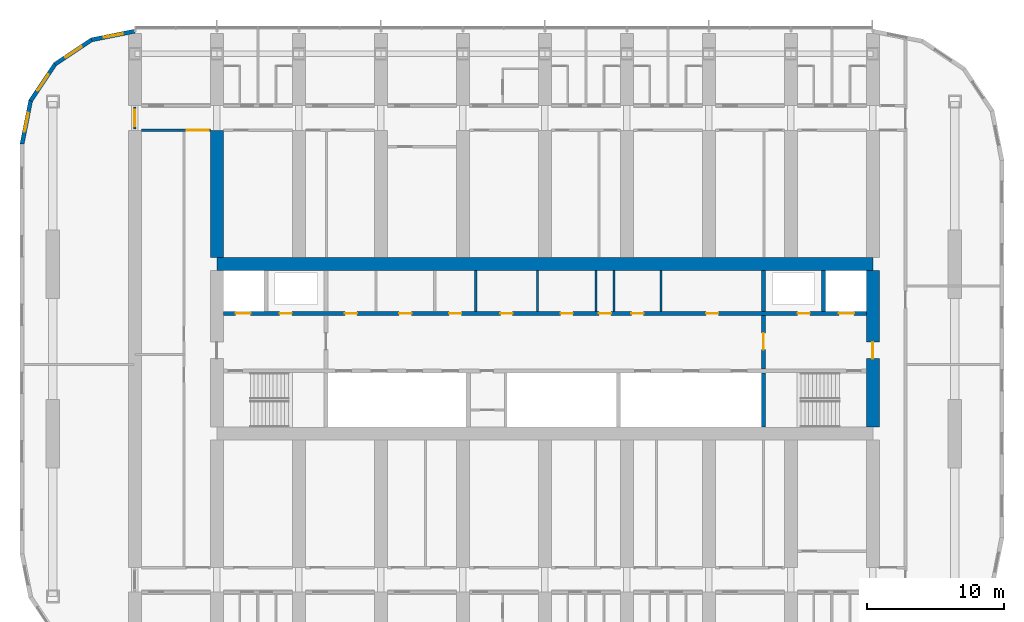
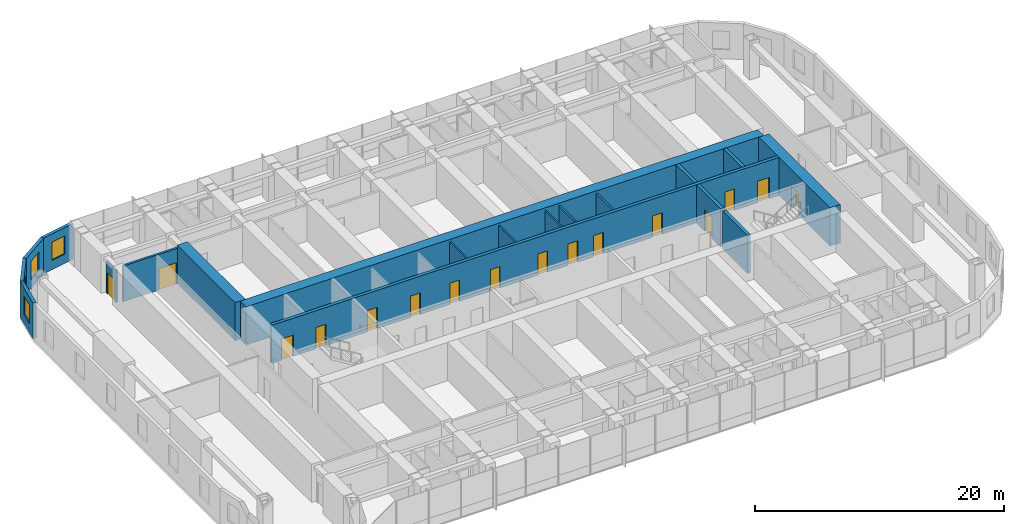
# One storey, part 12 of 21: 19 walls, 16 doors, 4 windows, 20 openings.
"""IFC4 building model written with IfcOpenShell, lengths in metres."""

import ifcopenshell
import ifcopenshell.guid

model = None  # the IFC model being written
_history = None  # IfcOwnerHistory: only IFC2X3 demands one
_inside = {}  # id of a spatial element -> (the spatial element, [elements in it])
_under = {}  # id of a project, library or spatial element -> (it, [spatial elements below it])
_declared = {}  # id of a project -> (the project, [libraries it declares])
_typed = {}  # id of a type object -> (the type object, [elements of that type])
_made_of = {}  # id of a material, layer set ... -> (it, [elements and type objects made of it])


def new_model(schema):
    """Start an empty IFC model of exactly this schema.

    Asked for "IFC4X3", IfcOpenShell would pick the latest addendum, in which some entities
    have other attributes; the version numbers below select the first issue.
    IFC2X3 requires an IfcOwnerHistory on every rooted entity: one is made here for all.
    """
    global model, _history
    if schema == "IFC4X3":
        model = ifcopenshell.file(schema_version=(4, 3, 0, 0))
    else:
        model = ifcopenshell.file(schema=schema)
    _inside.clear()
    _under.clear()
    _declared.clear()
    _typed.clear()
    _made_of.clear()
    _history = None
    if model.schema == "IFC2X3":
        org = make("IfcOrganization", Name="unknown")
        user = make(
            "IfcPersonAndOrganization",
            ThePerson=make("IfcPerson", FamilyName="unknown"),
            TheOrganization=org,
        )
        app = make(
            "IfcApplication",
            ApplicationDeveloper=org,
            Version="unknown",
            ApplicationFullName="unknown",
            ApplicationIdentifier="unknown",
        )
        _history = make(
            "IfcOwnerHistory",
            OwningUser=user,
            OwningApplication=app,
            ChangeAction="ADDED",
            CreationDate=0,
        )
    return model


def make(cls, **values):
    """One entity of the class cls with the attributes given. An attribute that is None is left unset."""
    return model.create_entity(
        cls, **{name: value for name, value in values.items() if value is not None}
    )


def rooted(cls, **values):
    """An entity with a GlobalId (a new one), such as an element, a storey or a relation."""
    return make(cls, GlobalId=ifcopenshell.guid.new(), OwnerHistory=_history, **values)


def si_unit(unit_type, name, prefix=None):
    """IfcSIUnit, for example si_unit("LENGTHUNIT", "METRE", prefix="MILLI")."""
    return make("IfcSIUnit", UnitType=unit_type, Prefix=prefix, Name=name)


def assignment(units):
    """IfcUnitAssignment: the units of a project."""
    return None if units is None else make("IfcUnitAssignment", Units=units)


def point(xyz):
    """IfcCartesianPoint."""
    return None if xyz is None else make("IfcCartesianPoint", Coordinates=xyz)


def direction(xyz):
    """IfcDirection."""
    return None if xyz is None else make("IfcDirection", DirectionRatios=xyz)


def frame(location, z_axis=None, x_axis=None):
    """IfcAxis2Placement3D, a coordinate frame: its origin and axes. An axis left out is left unset."""
    return make(
        "IfcAxis2Placement3D",
        Location=point(location),
        Axis=direction(z_axis),
        RefDirection=direction(x_axis),
    )


def frame_2d(location, x_axis=None):
    """IfcAxis2Placement2D, a coordinate frame in the plane: its origin and x axis."""
    return make(
        "IfcAxis2Placement2D", Location=point(location), RefDirection=direction(x_axis)
    )


def origin():
    """The frame at (0, 0, 0) with its axes left unset."""
    return frame((0.0, 0.0, 0.0))


def place(relative_to, where):
    """IfcLocalPlacement: puts the frame where relative to a parent placement (None: the world)."""
    return make(
        "IfcLocalPlacement", PlacementRelTo=relative_to, RelativePlacement=where
    )


def context(
    kind, dimensions, precision=None, world=None, true_north=None, identifier=None
):
    """IfcGeometricRepresentationContext, for example the 3D "Model" context."""
    return make(
        "IfcGeometricRepresentationContext",
        ContextIdentifier=identifier,
        ContextType=kind,
        CoordinateSpaceDimension=dimensions,
        Precision=precision,
        WorldCoordinateSystem=world,
        TrueNorth=true_north,
    )


def subcontext(parent, identifier, kind, view, scale=None):
    """IfcGeometricRepresentationSubContext, for example "Body" below "Model"."""
    return make(
        "IfcGeometricRepresentationSubContext",
        ContextIdentifier=identifier,
        ContextType=kind,
        ParentContext=parent,
        TargetScale=scale,
        TargetView=view,
    )


def project(units=None, contexts=None):
    """IfcProject with its units and contexts."""
    return rooted(
        "IfcProject",
        Name="project",
        RepresentationContexts=contexts,
        UnitsInContext=assignment(units),
    )


def spatial(cls, under=None, at=None, **own):
    """A site, building, storey or space (cls), placed at a placement, below another one or the project."""
    s = rooted(cls, ObjectPlacement=at, **own)
    if under is not None:
        _under.setdefault(under.id(), (under, []))[1].append(s)
    return s


def polyline(points):
    """IfcPolyline through the points."""
    return make("IfcPolyline", Points=[point(p) for p in points])


def profile(cls, at=None, kind="AREA", **sizes):
    """A parametric profile (cls). Its sizes go by their IFC names, for example OverallWidth=200.0."""
    return make(cls, ProfileType=kind, Position=at, **sizes)


def rectangle(**sizes):
    """IfcRectangleProfileDef."""
    return profile("IfcRectangleProfileDef", **sizes)


def outline(outer, holes=None, kind="AREA"):
    """IfcArbitraryClosedProfileDef: a profile drawn as a closed curve; with holes, ...WithVoids."""
    if holes is None:
        return make("IfcArbitraryClosedProfileDef", ProfileType=kind, OuterCurve=outer)
    return make(
        "IfcArbitraryProfileDefWithVoids",
        ProfileType=kind,
        OuterCurve=outer,
        InnerCurves=holes,
    )


def extrude(swept, where, along, depth):
    """IfcExtrudedAreaSolid: the profile swept, set in the frame where, extruded along a direction by depth."""
    return make(
        "IfcExtrudedAreaSolid",
        SweptArea=swept,
        Position=where,
        ExtrudedDirection=direction(along),
        Depth=depth,
    )


def shape(context_of_items, identifier, shape_type, items):
    """IfcShapeRepresentation: the items that make up one representation, for example the "Body"."""
    return make(
        "IfcShapeRepresentation",
        ContextOfItems=context_of_items,
        RepresentationIdentifier=identifier,
        RepresentationType=shape_type,
        Items=items,
    )


def material(Name=None, Category=None):
    """IfcMaterial."""
    return make("IfcMaterial", Name=Name, Category=Category)


def layer(
    of_material, thickness, ventilated=None, Name=None, Category=None, Priority=None
):
    """IfcMaterialLayer: one layer of a wall or slab, of a material (None: an air gap)."""
    return make(
        "IfcMaterialLayer",
        Material=of_material,
        LayerThickness=thickness,
        IsVentilated=ventilated,
        Name=Name,
        Category=Category,
        Priority=Priority,
    )


def layer_set(layers, Name=None):
    """IfcMaterialLayerSet."""
    return make("IfcMaterialLayerSet", MaterialLayers=layers, LayerSetName=Name)


def made_of(thing, what):
    """Note that an element or type object is made of a material, layer set ...; save() writes the relation."""
    if what is not None:
        _made_of.setdefault(what.id(), (what, []))[1].append(thing)
    return thing


def type_object(cls, material=None, **own):
    """A type object (cls), such as IfcWallType, which elements share."""
    return made_of(rooted(cls, **own), material)


def element(
    cls,
    number,
    at=None,
    inside=None,
    cuts=None,
    type_object=None,
    material=None,
    context=None,
    identifier="Body",
    shape_type=None,
    held_by="IfcProductDefinitionShape",
    body=None,
    shapes=None,
    **own,
):
    """One element of the class cls, such as IfcWall. Its Tag is "e" and its number.

    at: its placement. inside: the storey or other place that contains it. cuts: it is an
    opening in that element (IfcRelVoidsElement). A single representation is given by context,
    identifier, shape_type and body (its items); several are given by shapes. held_by: the class
    of the entity that holds the representations. save() writes the other relations.
    """
    e = rooted(cls, Tag="e%d" % number, ObjectPlacement=at, **own)
    if body is not None:
        shapes = [shape(context, identifier, shape_type, body)]
    if shapes is not None:
        e.Representation = make(held_by, Representations=shapes)
    if inside is not None:
        _inside.setdefault(inside.id(), (inside, []))[1].append(e)
    if cuts is not None:
        rooted(
            "IfcRelVoidsElement", RelatingBuildingElement=cuts, RelatedOpeningElement=e
        )
    if type_object is not None:
        _typed.setdefault(type_object.id(), (type_object, []))[1].append(e)
    return made_of(e, material)


def fill(opening, filler):
    """IfcRelFillsElement: the door or window that sits in an opening."""
    return rooted(
        "IfcRelFillsElement",
        RelatingOpeningElement=opening,
        RelatedBuildingElement=filler,
    )


def aggregate(whole, parts):
    """IfcRelAggregates: a whole, such as a stair, and the parts it consists of."""
    return rooted("IfcRelAggregates", RelatingObject=whole, RelatedObjects=parts)


def save(model, path):
    """Write the relations noted so far, then the file.

    IfcRelAggregates (storeys below a building ...), IfcRelContainedInSpatialStructure (elements
    in a storey), IfcRelDefinesByType, IfcRelAssociatesMaterial and IfcRelDeclares: one each for
    every whole, place, type object, material and project.
    """
    for whole, parts in _under.values():
        aggregate(whole, parts)
    for where, things in _inside.values():
        rooted(
            "IfcRelContainedInSpatialStructure",
            RelatedElements=things,
            RelatingStructure=where,
        )
    for kind, things in _typed.values():
        rooted("IfcRelDefinesByType", RelatedObjects=things, RelatingType=kind)
    for what, things in _made_of.values():
        rooted("IfcRelAssociatesMaterial", RelatedObjects=things, RelatingMaterial=what)
    for by, libraries in _declared.values():
        rooted("IfcRelDeclares", RelatingContext=by, RelatedDefinitions=libraries)
    model.write(path)


model = new_model("IFC4")

# Units and contexts
model_context = context("Model", 3, precision=1e-05, world=origin(), true_north=direction((0.0, 1.0)))
body_context = subcontext(model_context, "Body", "Model", "MODEL_VIEW")
ifc_project = project(units=[si_unit("LENGTHUNIT", "METRE"), si_unit("AREAUNIT", "SQUARE_METRE"), si_unit("VOLUMEUNIT", "CUBIC_METRE"), si_unit("PLANEANGLEUNIT", "RADIAN"), si_unit("MASSUNIT", "GRAM", prefix="KILO")], contexts=[model_context])

# Site, building, storey
site_placement = place(None, origin())
site = spatial("IfcSite", under=ifc_project, at=site_placement, CompositionType="ELEMENT")
building_placement = place(site_placement, origin())
building = spatial("IfcBuilding", under=site, at=building_placement, Name="Orbita Commons", CompositionType="ELEMENT")
storey_placement = place(building_placement, frame((0.0, 0.0, 106.89990234375)))
storey = spatial("IfcBuildingStorey", under=building, at=storey_placement, Name="L26", CompositionType="ELEMENT", Elevation=106.89990234375)

# Wall, openings, doors
ifc_material_1 = material(Name="Concrete C50/60", Category="concrete")
ifc_layer_1 = layer(ifc_material_1, 0.300048828125)
ifc_layer_set_1 = layer_set([ifc_layer_1], Name="Concrete C50/60")
wall_type_1 = type_object("IfcWallType", Name="Core inner wall 300 C50/60", PredefinedType="SHEAR", material=ifc_layer_set_1)
wall_1_placement = place(storey_placement, frame((18.47509765625, 34.60009765625, 0.0), z_axis=(0.0, 0.0, 1.0), x_axis=(1.0, 0.0, 0.0)))
wall_1 = element("IfcWall", 1, at=wall_1_placement, inside=storey, type_object=wall_type_1, Name="Lobby wall north L26", PredefinedType="SHEAR", context=body_context, shape_type="SweptSolid", body=[
    extrude(rectangle(XDim=47.0498046875, YDim=0.300048828125, at=frame_2d((23.52490234375, 0.0))), origin(), (0.0, 0.0, 1.0), 3.75),
])
opening_1_placement = place(wall_1_placement, frame((0.89990234375, 0.0, 0.0)))
opening_1 = element("IfcOpeningElement", 2, at=opening_1_placement, cuts=wall_1, Name="Opening LD01", PredefinedType="OPENING", context=body_context, shape_type="SweptSolid", body=[
    extrude(rectangle(XDim=1.10009765625, YDim=2.10009765625, at=frame_2d((0.550048828125, 1.050048828125))), frame((0.0, 0.159912109375, 0.0), z_axis=(0.0, -1.0, 0.0), x_axis=(1.0, 0.0, 0.0)), (0.0, 0.0, 1.0), 0.320068359375),
])
opening_2_placement = place(wall_1_placement, frame((45.050048828125, 0.0, 0.0)))
opening_2 = element("IfcOpeningElement", 3, at=opening_2_placement, cuts=wall_1, Name="Opening LD01", PredefinedType="OPENING", context=body_context, shape_type="SweptSolid", body=[
    extrude(rectangle(XDim=1.10009765625, YDim=2.10009765625, at=frame_2d((0.550048828125, 1.050048828125))), frame((0.0, 0.159912109375, 0.0), z_axis=(0.0, -1.0, 0.0), x_axis=(1.0, 0.0, 0.0)), (0.0, 0.0, 1.0), 0.320068359375),
])
opening_3_placement = place(wall_1_placement, frame((4.125, 0.0, 0.0)))
opening_3 = element("IfcOpeningElement", 4, at=opening_3_placement, cuts=wall_1, Name="Opening D03", PredefinedType="OPENING", context=body_context, shape_type="SweptSolid", body=[
    extrude(rectangle(XDim=0.89990234375, YDim=2.10009765625, at=frame_2d((0.449951171875, 1.050048828125))), frame((0.0, 0.159912109375, 0.0), z_axis=(0.0, -1.0, 0.0), x_axis=(1.0, 0.0, 0.0)), (0.0, 0.0, 1.0), 0.320068359375),
])
opening_4_placement = place(wall_1_placement, frame((42.02490234375, 0.0, 0.0)))
opening_4 = element("IfcOpeningElement", 5, at=opening_4_placement, cuts=wall_1, Name="Opening D03", PredefinedType="OPENING", context=body_context, shape_type="SweptSolid", body=[
    extrude(rectangle(XDim=0.89990234375, YDim=2.10009765625, at=frame_2d((0.449951171875, 1.050048828125))), frame((0.0, 0.159912109375, 0.0), z_axis=(0.0, -1.0, 0.0), x_axis=(1.0, 0.0, 0.0)), (0.0, 0.0, 1.0), 0.320068359375),
])
opening_5_placement = place(wall_1_placement, frame((8.900390625, 0.0, 0.0)))
opening_5 = element("IfcOpeningElement", 6, at=opening_5_placement, cuts=wall_1, Name="Opening D05", PredefinedType="OPENING", context=body_context, shape_type="SweptSolid", body=[
    extrude(rectangle(XDim=0.89990234375, YDim=2.10009765625, at=frame_2d((0.449951171875, 1.050048828125))), frame((0.0, 0.159912109375, 0.0), z_axis=(0.0, -1.0, 0.0), x_axis=(1.0, 0.0, 0.0)), (0.0, 0.0, 1.0), 0.320068359375),
])
opening_6_placement = place(wall_1_placement, frame((12.873779296875, 0.0, 0.0)))
opening_6 = element("IfcOpeningElement", 7, at=opening_6_placement, cuts=wall_1, Name="Opening D03", PredefinedType="OPENING", context=body_context, shape_type="SweptSolid", body=[
    extrude(rectangle(XDim=0.89990234375, YDim=2.10009765625, at=frame_2d((0.449951171875, 1.050048828125))), frame((0.0, 0.159912109375, 0.0), z_axis=(0.0, -1.0, 0.0), x_axis=(1.0, 0.0, 0.0)), (0.0, 0.0, 1.0), 0.320068359375),
])
opening_7_placement = place(wall_1_placement, frame((16.521240234375, 0.0, 0.0)))
opening_7 = element("IfcOpeningElement", 8, at=opening_7_placement, cuts=wall_1, Name="Opening D03", PredefinedType="OPENING", context=body_context, shape_type="SweptSolid", body=[
    extrude(rectangle(XDim=0.89990234375, YDim=2.10009765625, at=frame_2d((0.449951171875, 1.050048828125))), frame((0.0, 0.159912109375, 0.0), z_axis=(0.0, -1.0, 0.0), x_axis=(1.0, 0.0, 0.0)), (0.0, 0.0, 1.0), 0.320068359375),
])
opening_8_placement = place(wall_1_placement, frame((20.27978515625, 0.0, 0.0)))
opening_8 = element("IfcOpeningElement", 9, at=opening_8_placement, cuts=wall_1, Name="Opening D05", PredefinedType="OPENING", context=body_context, shape_type="SweptSolid", body=[
    extrude(rectangle(XDim=0.89990234375, YDim=2.10009765625, at=frame_2d((0.449951171875, 1.050048828125))), frame((0.0, 0.159912109375, 0.0), z_axis=(0.0, -1.0, 0.0), x_axis=(1.0, 0.0, 0.0)), (0.0, 0.0, 1.0), 0.320068359375),
])
opening_9_placement = place(wall_1_placement, frame((24.685791015625, 0.0, 0.0)))
opening_9 = element("IfcOpeningElement", 10, at=opening_9_placement, cuts=wall_1, Name="Opening D03", PredefinedType="OPENING", context=body_context, shape_type="SweptSolid", body=[
    extrude(rectangle(XDim=0.89990234375, YDim=2.10009765625, at=frame_2d((0.449951171875, 1.050048828125))), frame((0.0, 0.159912109375, 0.0), z_axis=(0.0, -1.0, 0.0), x_axis=(1.0, 0.0, 0.0)), (0.0, 0.0, 1.0), 0.320068359375),
])
opening_10_placement = place(wall_1_placement, frame((27.4833984375, 0.0, 0.0)))
opening_10 = element("IfcOpeningElement", 11, at=opening_10_placement, cuts=wall_1, Name="Opening D03", PredefinedType="OPENING", context=body_context, shape_type="SweptSolid", body=[
    extrude(rectangle(XDim=0.89990234375, YDim=2.10009765625, at=frame_2d((0.449951171875, 1.050048828125))), frame((0.0, 0.159912109375, 0.0), z_axis=(0.0, -1.0, 0.0), x_axis=(1.0, 0.0, 0.0)), (0.0, 0.0, 1.0), 0.320068359375),
])
opening_11_placement = place(wall_1_placement, frame((29.855712890625, 0.0, 0.0)))
opening_11 = element("IfcOpeningElement", 12, at=opening_11_placement, cuts=wall_1, Name="Opening D05", PredefinedType="OPENING", context=body_context, shape_type="SweptSolid", body=[
    extrude(rectangle(XDim=0.89990234375, YDim=2.10009765625, at=frame_2d((0.449951171875, 1.050048828125))), frame((0.0, 0.159912109375, 0.0), z_axis=(0.0, -1.0, 0.0), x_axis=(1.0, 0.0, 0.0)), (0.0, 0.0, 1.0), 0.320068359375),
])
opening_12_placement = place(wall_1_placement, frame((35.326416015625, 0.0, 0.0)))
opening_12 = element("IfcOpeningElement", 13, at=opening_12_placement, cuts=wall_1, Name="Opening D03", PredefinedType="OPENING", context=body_context, shape_type="SweptSolid", body=[
    extrude(rectangle(XDim=0.89990234375, YDim=2.10009765625, at=frame_2d((0.449951171875, 1.050048828125))), frame((0.0, 0.159912109375, 0.0), z_axis=(0.0, -1.0, 0.0), x_axis=(1.0, 0.0, 0.0)), (0.0, 0.0, 1.0), 0.320068359375),
])
ifc_material_2 = material(Name="Steel-faced fire door leaf", Category="steel")
door_type_1 = type_object("IfcDoorType", Name="Firefighting lift landing door 1100x2100", OperationType="DOUBLE_DOOR_SLIDING", PredefinedType="DOOR", material=ifc_material_2)
door_1_placement = place(opening_1_placement, origin())
door_1 = element("IfcDoor", 14, at=door_1_placement, inside=storey, type_object=door_type_1, Name="Firefighting lift FL1 landing door", OperationType="DOUBLE_DOOR_SLIDING", OverallHeight=2.10009765625, OverallWidth=1.10009765625, PredefinedType="DOOR", context=body_context, shape_type="SweptSolid", body=[
    extrude(rectangle(XDim=1.10009765625, YDim=2.10009765625, at=frame_2d((0.550048828125, 1.050048828125))), frame((0.0, 0.02490234375, 0.0), z_axis=(0.0, -1.0, 0.0), x_axis=(1.0, 0.0, 0.0)), (0.0, 0.0, 1.0), 0.050048828125),
])
fill(opening_1, door_1)
door_2_placement = place(opening_2_placement, origin())
door_2 = element("IfcDoor", 15, at=door_2_placement, inside=storey, type_object=door_type_1, Name="Firefighting lift FL2 landing door", OperationType="DOUBLE_DOOR_SLIDING", OverallHeight=2.10009765625, OverallWidth=1.10009765625, PredefinedType="DOOR", context=body_context, shape_type="SweptSolid", body=[
    extrude(rectangle(XDim=1.10009765625, YDim=2.10009765625, at=frame_2d((0.550048828125, 1.050048828125))), frame((0.0, 0.02490234375, 0.0), z_axis=(0.0, -1.0, 0.0), x_axis=(1.0, 0.0, 0.0)), (0.0, 0.0, 1.0), 0.050048828125),
])
fill(opening_2, door_2)
ifc_material_3 = material(Name="Steel-faced fire door leaf", Category="steel")
door_type_2 = type_object("IfcDoorType", Name="Service door 20 min 900x2100", OperationType="SINGLE_SWING_LEFT", PredefinedType="DOOR", material=ifc_material_3)
door_3_placement = place(opening_5_placement, origin())
door_3 = element("IfcDoor", 16, at=door_3_placement, inside=storey, type_object=door_type_2, Name="Staff WC door", OperationType="SINGLE_SWING_LEFT", OverallHeight=2.10009765625, OverallWidth=0.89990234375, PredefinedType="DOOR", context=body_context, shape_type="SweptSolid", body=[
    extrude(rectangle(XDim=0.89990234375, YDim=2.10009765625, at=frame_2d((0.449951171875, 1.050048828125))), frame((0.0, 0.02490234375, 0.0), z_axis=(0.0, -1.0, 0.0), x_axis=(1.0, 0.0, 0.0)), (0.0, 0.0, 1.0), 0.050048828125),
])
fill(opening_5, door_3)
door_4_placement = place(opening_8_placement, origin())
door_4 = element("IfcDoor", 17, at=door_4_placement, inside=storey, type_object=door_type_2, Name="Vending and ice room door", OperationType="SINGLE_SWING_LEFT", OverallHeight=2.10009765625, OverallWidth=0.89990234375, PredefinedType="DOOR", context=body_context, shape_type="SweptSolid", body=[
    extrude(rectangle(XDim=0.89990234375, YDim=2.10009765625, at=frame_2d((0.449951171875, 1.050048828125))), frame((0.0, 0.02490234375, 0.0), z_axis=(0.0, -1.0, 0.0), x_axis=(1.0, 0.0, 0.0)), (0.0, 0.0, 1.0), 0.050048828125),
])
fill(opening_8, door_4)
door_5_placement = place(opening_11_placement, origin())
door_5 = element("IfcDoor", 18, at=door_5_placement, inside=storey, type_object=door_type_2, Name="Accessible WC door", OperationType="SINGLE_SWING_LEFT", OverallHeight=2.10009765625, OverallWidth=0.89990234375, PredefinedType="DOOR", context=body_context, shape_type="SweptSolid", body=[
    extrude(rectangle(XDim=0.89990234375, YDim=2.10009765625, at=frame_2d((0.449951171875, 1.050048828125))), frame((0.0, 0.02490234375, 0.0), z_axis=(0.0, -1.0, 0.0), x_axis=(1.0, 0.0, 0.0)), (0.0, 0.0, 1.0), 0.050048828125),
])
fill(opening_11, door_5)
ifc_material_4 = material(Name="Steel-faced fire door leaf", Category="steel")
door_type_3 = type_object("IfcDoorType", Name="Shaft access door 90 min 900x2100", OperationType="SINGLE_SWING_LEFT", PredefinedType="DOOR", material=ifc_material_4)
door_6_placement = place(opening_3_placement, origin())
door_6 = element("IfcDoor", 19, at=door_6_placement, inside=storey, type_object=door_type_3, Name="Riser door west", OperationType="SINGLE_SWING_LEFT", OverallHeight=2.10009765625, OverallWidth=0.89990234375, PredefinedType="DOOR", context=body_context, shape_type="SweptSolid", body=[
    extrude(rectangle(XDim=0.89990234375, YDim=2.10009765625, at=frame_2d((0.449951171875, 1.050048828125))), frame((0.0, 0.02490234375, 0.0), z_axis=(0.0, -1.0, 0.0), x_axis=(1.0, 0.0, 0.0)), (0.0, 0.0, 1.0), 0.050048828125),
])
fill(opening_3, door_6)
door_7_placement = place(opening_4_placement, origin())
door_7 = element("IfcDoor", 20, at=door_7_placement, inside=storey, type_object=door_type_3, Name="Riser door east", OperationType="SINGLE_SWING_LEFT", OverallHeight=2.10009765625, OverallWidth=0.89990234375, PredefinedType="DOOR", context=body_context, shape_type="SweptSolid", body=[
    extrude(rectangle(XDim=0.89990234375, YDim=2.10009765625, at=frame_2d((0.449951171875, 1.050048828125))), frame((0.0, 0.02490234375, 0.0), z_axis=(0.0, -1.0, 0.0), x_axis=(1.0, 0.0, 0.0)), (0.0, 0.0, 1.0), 0.050048828125),
])
fill(opening_4, door_7)
door_8_placement = place(opening_6_placement, origin())
door_8 = element("IfcDoor", 21, at=door_8_placement, inside=storey, type_object=door_type_3, Name="Refuse chute room door", OperationType="SINGLE_SWING_LEFT", OverallHeight=2.10009765625, OverallWidth=0.89990234375, PredefinedType="DOOR", context=body_context, shape_type="SweptSolid", body=[
    extrude(rectangle(XDim=0.89990234375, YDim=2.10009765625, at=frame_2d((0.449951171875, 1.050048828125))), frame((0.0, 0.02490234375, 0.0), z_axis=(0.0, -1.0, 0.0), x_axis=(1.0, 0.0, 0.0)), (0.0, 0.0, 1.0), 0.050048828125),
])
fill(opening_6, door_8)
door_9_placement = place(opening_7_placement, origin())
door_9 = element("IfcDoor", 22, at=door_9_placement, inside=storey, type_object=door_type_3, Name="Electrical riser room door", OperationType="SINGLE_SWING_LEFT", OverallHeight=2.10009765625, OverallWidth=0.89990234375, PredefinedType="DOOR", context=body_context, shape_type="SweptSolid", body=[
    extrude(rectangle(XDim=0.89990234375, YDim=2.10009765625, at=frame_2d((0.449951171875, 1.050048828125))), frame((0.0, 0.02490234375, 0.0), z_axis=(0.0, -1.0, 0.0), x_axis=(1.0, 0.0, 0.0)), (0.0, 0.0, 1.0), 0.050048828125),
])
fill(opening_7, door_9)
door_10_placement = place(opening_9_placement, origin())
door_10 = element("IfcDoor", 23, at=door_10_placement, inside=storey, type_object=door_type_3, Name="Communications room door", OperationType="SINGLE_SWING_LEFT", OverallHeight=2.10009765625, OverallWidth=0.89990234375, PredefinedType="DOOR", context=body_context, shape_type="SweptSolid", body=[
    extrude(rectangle(XDim=0.89990234375, YDim=2.10009765625, at=frame_2d((0.449951171875, 1.050048828125))), frame((0.0, 0.02490234375, 0.0), z_axis=(0.0, -1.0, 0.0), x_axis=(1.0, 0.0, 0.0)), (0.0, 0.0, 1.0), 0.050048828125),
])
fill(opening_9, door_10)
door_11_placement = place(opening_10_placement, origin())
door_11 = element("IfcDoor", 24, at=door_11_placement, inside=storey, type_object=door_type_3, Name="Stair pressurisation duct door", OperationType="SINGLE_SWING_LEFT", OverallHeight=2.10009765625, OverallWidth=0.89990234375, PredefinedType="DOOR", context=body_context, shape_type="SweptSolid", body=[
    extrude(rectangle(XDim=0.89990234375, YDim=2.10009765625, at=frame_2d((0.449951171875, 1.050048828125))), frame((0.0, 0.02490234375, 0.0), z_axis=(0.0, -1.0, 0.0), x_axis=(1.0, 0.0, 0.0)), (0.0, 0.0, 1.0), 0.050048828125),
])
fill(opening_10, door_11)
door_12_placement = place(opening_12_placement, origin())
door_12 = element("IfcDoor", 25, at=door_12_placement, inside=storey, type_object=door_type_3, Name="Linen and housekeeping store door", OperationType="SINGLE_SWING_LEFT", OverallHeight=2.10009765625, OverallWidth=0.89990234375, PredefinedType="DOOR", context=body_context, shape_type="SweptSolid", body=[
    extrude(rectangle(XDim=0.89990234375, YDim=2.10009765625, at=frame_2d((0.449951171875, 1.050048828125))), frame((0.0, 0.02490234375, 0.0), z_axis=(0.0, -1.0, 0.0), x_axis=(1.0, 0.0, 0.0)), (0.0, 0.0, 1.0), 0.050048828125),
])
fill(opening_12, door_12)

# Wall
wall_2_placement = place(storey_placement, frame((58.0, 26.27490234375, 0.0), z_axis=(0.0, 0.0, 1.0), x_axis=(0.0, 1.0, 0.0)))
element("IfcWall", 26, at=wall_2_placement, inside=storey, type_object=wall_type_1, Name="Stair S2 wall L26", PredefinedType="SHEAR", context=body_context, shape_type="SweptSolid", body=[
    extrude(rectangle(XDim=3.97509765625, YDim=0.300048828125, at=frame_2d((1.987548828125, 0.0))), origin(), (0.0, 0.0, 1.0), 3.75),
])

# Wall, opening, door
wall_3_placement = place(storey_placement, frame((58.0, 30.550048828125, 0.0), z_axis=(0.0, 0.0, 1.0), x_axis=(0.0, 1.0, 0.0)))
wall_3 = element("IfcWall", 27, at=wall_3_placement, inside=storey, type_object=wall_type_1, Name="Firefighting lobby wall east L26", PredefinedType="SHEAR", context=body_context, shape_type="SweptSolid", body=[
    extrude(rectangle(XDim=3.89990234375, YDim=0.300048828125, at=frame_2d((1.949951171875, 0.0))), origin(), (0.0, 0.0, 1.0), 3.75),
])
opening_13_placement = place(wall_3_placement, frame((1.39990234375, 0.0, 0.0)))
opening_13 = element("IfcOpeningElement", 28, at=opening_13_placement, cuts=wall_3, Name="Opening D04", PredefinedType="OPENING", context=body_context, shape_type="SweptSolid", body=[
    extrude(rectangle(XDim=1.199951171875, YDim=2.10009765625, at=frame_2d((0.60009765625, 1.050048828125))), frame((0.0, 0.159912109375, 0.0), z_axis=(0.0, -1.0, 0.0), x_axis=(1.0, 0.0, 0.0)), (0.0, 0.0, 1.0), 0.320068359375),
])
ifc_material_5 = material(Name="Steel-faced fire door leaf", Category="steel")
door_type_4 = type_object("IfcDoorType", Name="Service door 20 min 1200x2100", OperationType="SINGLE_SWING_LEFT", PredefinedType="DOOR", material=ifc_material_5)
door_13_placement = place(opening_13_placement, origin())
door_13 = element("IfcDoor", 29, at=door_13_placement, inside=storey, type_object=door_type_4, Name="Lift lobby door east", OperationType="SINGLE_SWING_LEFT", OverallHeight=2.10009765625, OverallWidth=1.199951171875, PredefinedType="DOOR", context=body_context, shape_type="SweptSolid", body=[
    extrude(rectangle(XDim=1.199951171875, YDim=2.10009765625, at=frame_2d((0.60009765625, 1.050048828125))), frame((0.0, 0.02490234375, 0.0), z_axis=(0.0, -1.0, 0.0), x_axis=(1.0, 0.0, 0.0)), (0.0, 0.0, 1.0), 0.050048828125),
])
fill(opening_13, door_13)

# Walls
for number, where, z_axis, x_axis, name in (
    (30, (62.39990234375, 34.75, 0.0), (0.0, 0.0, 1.0), (0.0, 1.0, 0.0), "Firefighting lift FL2 shaft wall L26"),
    (31, (58.0, 34.75, 0.0), (0.0, 0.0, 1.0), (0.0, 1.0, 0.0), "Riser wall east L26"),
):
    element("IfcWall", number, at=place(storey_placement, frame(where, z_axis=z_axis, x_axis=x_axis)), inside=storey, type_object=wall_type_1, Name=name, PredefinedType="SHEAR", context=body_context, shape_type="SweptSolid", body=[
        extrude(rectangle(XDim=2.97509765625, YDim=0.300048828125, at=frame_2d((1.487548828125, 0.0))), origin(), (0.0, 0.0, 1.0), 3.75),
    ])
ifc_material_6 = material(Name="Concrete blockwork", Category="masonry")
ifc_layer_2 = layer(ifc_material_6, 0.14990234375)
ifc_layer_set_2 = layer_set([ifc_layer_2], Name="Concrete blockwork")
wall_type_2 = type_object("IfcWallType", Name="Core partition 150 blockwork", PredefinedType="SOLIDWALL", material=ifc_layer_set_2)
for number, where, z_axis, x_axis, name in (
    (32, (36.9462890625, 34.75, 0.0), (0.0, 0.0, 1.0), (0.0, 1.0, 0.0), "Core partition 150 blockwork L26"),
    (33, (41.463134765625, 34.75, 0.0), (0.0, 0.0, 1.0), (0.0, 1.0, 0.0), "Core partition 150 blockwork L26"),
    (34, (45.75830078125, 34.75, 0.0), (0.0, 0.0, 1.0), (0.0, 1.0, 0.0), "Core partition 150 blockwork L26"),
    (35, (47.058349609375, 34.75, 0.0), (0.0, 0.0, 1.0), (0.0, 1.0, 0.0), "Core partition 150 blockwork L26"),
    (36, (50.5029296875, 34.75, 0.0), (0.0, 0.0, 1.0), (0.0, 1.0, 0.0), "Core partition 150 blockwork L26"),
):
    element("IfcWall", number, at=place(storey_placement, frame(where, z_axis=z_axis, x_axis=x_axis)), inside=storey, type_object=wall_type_2, Name=name, PredefinedType="SOLIDWALL", context=body_context, shape_type="SweptSolid", body=[
        extrude(rectangle(XDim=2.97509765625, YDim=0.14990234375, at=frame_2d((1.487548828125, 0.0))), origin(), (0.0, 0.0, 1.0), 3.5),
    ])
ifc_material_7 = material(Name="Concrete C50/60", Category="concrete")
ifc_layer_3 = layer(ifc_material_7, 0.949951171875)
ifc_layer_set_3 = layer_set([ifc_layer_3], Name="Concrete C50/60")
wall_type_3 = type_object("IfcWallType", Name="Core wall 950 C50/60", PredefinedType="SHEAR", material=ifc_layer_set_3)
wall_4_placement = place(storey_placement, frame((18.0, 38.199951171875, 0.0), z_axis=(0.0, 0.0, 1.0), x_axis=(1.0, 0.0, 0.0)))
element("IfcWall", 37, at=wall_4_placement, inside=storey, type_object=wall_type_3, Name="Core spine wall north L26", PredefinedType="SHEAR", context=body_context, shape_type="SweptSolid", body=[
    extrude(rectangle(XDim=48.0, YDim=0.949951171875, at=frame_2d((24.0, 0.0))), origin(), (0.0, 0.0, 1.0), 3.75),
])

# Wall, opening, door
wall_5_placement = place(storey_placement, frame((66.0, 26.27490234375, 0.0), z_axis=(0.0, 0.0, 1.0), x_axis=(0.0, 1.0, 0.0)))
wall_5 = element("IfcWall", 38, at=wall_5_placement, inside=storey, type_object=wall_type_3, Name="Core end wall east L26", PredefinedType="SHEAR", context=body_context, shape_type="SweptSolid", body=[
    extrude(rectangle(XDim=11.4501953125, YDim=0.949951171875, at=frame_2d((5.72509765625, 0.0))), origin(), (0.0, 0.0, 1.0), 3.75),
])
opening_14_placement = place(wall_5_placement, frame((5.02490234375, 0.0, 0.0)))
opening_14 = element("IfcOpeningElement", 39, at=opening_14_placement, cuts=wall_5, Name="Opening D01", PredefinedType="OPENING", context=body_context, shape_type="SweptSolid", body=[
    extrude(rectangle(XDim=1.199951171875, YDim=2.10009765625, at=frame_2d((0.60009765625, 1.050048828125))), frame((0.0, 0.48486328125, 0.0), z_axis=(0.0, -1.0, 0.0), x_axis=(1.0, 0.0, 0.0)), (0.0, 0.0, 1.0), 0.969970703125),
])
ifc_material_8 = material(Name="Steel-faced fire door leaf", Category="steel")
door_type_5 = type_object("IfcDoorType", Name="Fire door 90 min 1200x2100", OperationType="SINGLE_SWING_LEFT", PredefinedType="DOOR", material=ifc_material_8)
door_14_placement = place(opening_14_placement, origin())
door_14 = element("IfcDoor", 40, at=door_14_placement, inside=storey, type_object=door_type_5, Name="Firefighting lobby east door", OperationType="SINGLE_SWING_LEFT", OverallHeight=2.10009765625, OverallWidth=1.199951171875, PredefinedType="DOOR", context=body_context, shape_type="SweptSolid", body=[
    extrude(rectangle(XDim=1.199951171875, YDim=2.10009765625, at=frame_2d((0.60009765625, 1.050048828125))), frame((0.0, 0.02490234375, 0.0), z_axis=(0.0, -1.0, 0.0), x_axis=(1.0, 0.0, 0.0)), (0.0, 0.0, 1.0), 0.050048828125),
])
fill(opening_14, door_14)

ifc_material_9 = material(Name="Concrete blockwork", Category="masonry")
ifc_layer_4 = layer(ifc_material_9, 0.199951171875)
ifc_layer_set_4 = layer_set([ifc_layer_4], Name="Concrete blockwork")
wall_type_4 = type_object("IfcWallType", Name="Corridor wall 200 blockwork", PredefinedType="SOLIDWALL", material=ifc_layer_set_4)
wall_6_placement = place(storey_placement, frame((12.0, 48.10009765625, 0.0), z_axis=(0.0, 0.0, 1.0), x_axis=(0.0, 1.0, 0.0)))
wall_6 = element("IfcWall", 41, at=wall_6_placement, inside=storey, type_object=wall_type_4, Name="Corridor wall 200 blockwork L26", PredefinedType="SOLIDWALL", context=body_context, shape_type="SweptSolid", body=[
    extrude(outline(polyline([(0.0, 0.0), (1.599853515625, 0.0), (1.60009765625, 3.10009765625), (0.0, 3.10009765625), (0.0, 0.0)])), frame((0.0, 0.10009765625, 0.0), z_axis=(0.0, -1.0, 0.0), x_axis=(1.0, 0.0, 0.0)), (0.0, 0.0, 1.0), 0.199951171875),
])
opening_15_placement = place(wall_6_placement, frame((0.199951171875, 0.0, 0.0)))
opening_15 = element("IfcOpeningElement", 42, at=opening_15_placement, cuts=wall_6, Name="Opening D12", PredefinedType="OPENING", context=body_context, shape_type="SweptSolid", body=[
    extrude(rectangle(XDim=1.199951171875, YDim=2.10009765625, at=frame_2d((0.60009765625, 1.050048828125))), frame((0.0, 0.10986328125, 0.0), z_axis=(0.0, -1.0, 0.0), x_axis=(1.0, 0.0, 0.0)), (0.0, 0.0, 1.0), 0.219970703125),
])
ifc_material_10 = material(Name="Steel-faced fire door leaf", Category="steel")
door_type_6 = type_object("IfcDoorType", Name="Double corridor door 20 min 1200x2100", OperationType="DOUBLE_DOOR_SINGLE_SWING", PredefinedType="DOOR", material=ifc_material_10)
door_15_placement = place(opening_15_placement, origin())
door_15 = element("IfcDoor", 43, at=door_15_placement, inside=storey, type_object=door_type_6, Name="Lounge doors", OperationType="DOUBLE_DOOR_SINGLE_SWING", OverallHeight=2.10009765625, OverallWidth=1.199951171875, PredefinedType="DOOR", context=body_context, shape_type="SweptSolid", body=[
    extrude(rectangle(XDim=1.199951171875, YDim=2.10009765625, at=frame_2d((0.60009765625, 1.050048828125))), frame((0.0, 0.02490234375, 0.0), z_axis=(0.0, -1.0, 0.0), x_axis=(1.0, 0.0, 0.0)), (0.0, 0.0, 1.0), 0.050048828125),
])
fill(opening_15, door_15)

ifc_material_11 = material(Name="Hollow concrete block 200", Category="concrete")
ifc_layer_5 = layer(ifc_material_11, 0.199951171875)
ifc_layer_set_5 = layer_set([ifc_layer_5], Name="Hollow concrete block 200")
wall_type_5 = type_object("IfcWallType", Name="Corridor wall 200 hollow concrete block", PredefinedType="SOLIDWALL", material=ifc_layer_set_5)
wall_7_placement = place(storey_placement, frame((12.47509765625, 48.0, 0.0), z_axis=(0.0, 0.0, 1.0), x_axis=(1.0, 0.0, 0.0)))
wall_7 = element("IfcWall", 44, at=wall_7_placement, inside=storey, type_object=wall_type_5, Name="Corridor wall 200 hollow concrete block L26", PredefinedType="SOLIDWALL", context=body_context, shape_type="SweptSolid", body=[
    extrude(rectangle(XDim=5.0498046875, YDim=0.199951171875, at=frame_2d((2.52490234375, 0.0))), origin(), (0.0, 0.0, 1.0), 3.5),
])
opening_16_placement = place(wall_7_placement, frame((3.324951171875, 0.0, 0.0)))
opening_16 = element("IfcOpeningElement", 45, at=opening_16_placement, cuts=wall_7, Name="Opening D10", PredefinedType="OPENING", context=body_context, shape_type="SweptSolid", body=[
    extrude(rectangle(XDim=1.60009765625, YDim=2.10009765625, at=frame_2d((0.800048828125, 1.050048828125))), frame((0.0, 0.10986328125, 0.0), z_axis=(0.0, -1.0, 0.0), x_axis=(1.0, 0.0, 0.0)), (0.0, 0.0, 1.0), 0.219970703125),
])
ifc_material_12 = material(Name="Steel-faced fire door leaf", Category="steel")
door_type_7 = type_object("IfcDoorType", Name="Double corridor door 20 min 1600x2100", OperationType="DOUBLE_DOOR_SINGLE_SWING", PredefinedType="DOOR", material=ifc_material_12)
door_16_placement = place(opening_16_placement, origin())
door_16 = element("IfcDoor", 46, at=door_16_placement, inside=storey, type_object=door_type_7, Name="Cross corridor doors", OperationType="DOUBLE_DOOR_SINGLE_SWING", OverallHeight=2.10009765625, OverallWidth=1.60009765625, PredefinedType="DOOR", context=body_context, shape_type="SweptSolid", body=[
    extrude(rectangle(XDim=1.60009765625, YDim=2.10009765625, at=frame_2d((0.800048828125, 1.050048828125))), frame((0.0, 0.02490234375, 0.0), z_axis=(0.0, -1.0, 0.0), x_axis=(1.0, 0.0, 0.0)), (0.0, 0.0, 1.0), 0.050048828125),
])
fill(opening_16, door_16)

# Wall
ifc_material_13 = material(Name="Concrete C50/60", Category="concrete")
ifc_layer_6 = layer(ifc_material_13, 0.949951171875)
ifc_layer_set_6 = layer_set([ifc_layer_6], Name="Concrete C50/60")
wall_type_6 = type_object("IfcWallType", Name="Cross wall 950 C50/60", PredefinedType="SHEAR", material=ifc_layer_set_6)
wall_8_placement = place(storey_placement, frame((18.0, 38.675048828125, 0.0), z_axis=(0.0, 0.0, 1.0), x_axis=(0.0, 1.0, 0.0)))
element("IfcWall", 47, at=wall_8_placement, inside=storey, type_object=wall_type_6, Name="Cross wall 4 north inner L26", PredefinedType="SHEAR", context=body_context, shape_type="SweptSolid", body=[
    extrude(rectangle(XDim=9.324951171875, YDim=0.949951171875, at=frame_2d((4.66259765625, 0.0))), origin(), (0.0, 0.0, 1.0), 3.75),
])

# Wall, opening, window
ifc_material_14 = material(Name="Precast concrete C40/50, white board-marked finish", Category="concrete")
ifc_layer_7 = layer(ifc_material_14, 0.300048828125)
ifc_layer_set_7 = layer_set([ifc_layer_7], Name="Precast concrete C40/50, white board-marked finish")
wall_type_7 = type_object("IfcWallType", Name="Precast concrete end shield 300", PredefinedType="SOLIDWALL", material=ifc_layer_set_7)
wall_9_placement = place(storey_placement, frame((12.0, 55.25, 0.0), z_axis=(0.0, 0.0, 1.0), x_axis=(-0.980787251524, -0.195080412259, 0.0)))
wall_9 = element("IfcWall", 48, at=wall_9_placement, inside=storey, type_object=wall_type_7, Name="End shield NW chord 1 L26", PredefinedType="SOLIDWALL", context=body_context, shape_type="SweptSolid", body=[
    extrude(outline(polyline([(-0.02978515625, -0.14990234375), (3.24853515625, -0.14990234375), (3.18896484375, 0.14990234375), (0.02978515625, 0.14990234375), (-0.02978515625, -0.14990234375)])), origin(), (0.0, 0.0, 1.0), 3.5),
])
opening_17_placement = place(wall_9_placement, frame((0.909423828125, 0.0, 0.89990234375)))
opening_17 = element("IfcOpeningElement", 49, at=opening_17_placement, cuts=wall_9, Name="Opening W02", PredefinedType="OPENING", context=body_context, shape_type="SweptSolid", body=[
    extrude(rectangle(XDim=1.39990234375, YDim=1.800048828125, at=frame_2d((0.699951171875, 0.89990234375))), frame((0.0, 0.159912109375, 0.0), z_axis=(0.0, -1.0, 0.0), x_axis=(1.0, 0.0, 0.0)), (0.0, 0.0, 1.0), 0.320068359375),
])
ifc_material_15 = material(Name="Aluminium frame, clear double glazing", Category="aluminium")
window_type = type_object("IfcWindowType", Name="Deep-set window 1400x1800", PartitioningType="SINGLE_PANEL", PredefinedType="WINDOW", material=ifc_material_15)
window_1_placement = place(opening_17_placement, origin())
window_1 = element("IfcWindow", 50, at=window_1_placement, inside=storey, type_object=window_type, Name="Window L26-NW0", OverallHeight=1.800048828125, OverallWidth=1.39990234375, PartitioningType="SINGLE_PANEL", PredefinedType="WINDOW", context=body_context, shape_type="SweptSolid", body=[
    extrude(rectangle(XDim=1.39990234375, YDim=1.800048828125, at=frame_2d((0.699951171875, 0.89990234375))), frame((0.0, 0.030029296875, 0.0), z_axis=(0.0, -1.0, 0.0), x_axis=(1.0, 0.0, 0.0)), (0.0, 0.0, 1.0), 0.06005859375),
])
fill(opening_17, window_1)

wall_10_placement = place(storey_placement, frame((8.843017578125, 54.6220703125, 0.0), z_axis=(0.0, 0.0, 1.0), x_axis=(-0.831443069936, -0.555609954424, 0.0)))
wall_10 = element("IfcWall", 51, at=wall_10_placement, inside=storey, type_object=wall_type_7, Name="End shield NW chord 2 L26", PredefinedType="SOLIDWALL", context=body_context, shape_type="SweptSolid", body=[
    extrude(outline(polyline([(-0.02978515625, -0.14990234375), (3.2490234375, -0.14990234375), (3.189453125, 0.14990234375), (0.02978515625, 0.14990234375), (-0.02978515625, -0.14990234375)])), origin(), (0.0, 0.0, 1.0), 3.5),
])
opening_18_placement = place(wall_10_placement, frame((0.909423828125, 0.0, 0.89990234375)))
opening_18 = element("IfcOpeningElement", 52, at=opening_18_placement, cuts=wall_10, Name="Opening W02", PredefinedType="OPENING", context=body_context, shape_type="SweptSolid", body=[
    extrude(rectangle(XDim=1.39990234375, YDim=1.800048828125, at=frame_2d((0.699951171875, 0.89990234375))), frame((0.0, 0.159912109375, 0.0), z_axis=(0.0, -1.0, 0.0), x_axis=(1.0, 0.0, 0.0)), (0.0, 0.0, 1.0), 0.320068359375),
])
window_2_placement = place(opening_18_placement, origin())
window_2 = element("IfcWindow", 53, at=window_2_placement, inside=storey, type_object=window_type, Name="Window L26-NW1", OverallHeight=1.800048828125, OverallWidth=1.39990234375, PartitioningType="SINGLE_PANEL", PredefinedType="WINDOW", context=body_context, shape_type="SweptSolid", body=[
    extrude(rectangle(XDim=1.39990234375, YDim=1.800048828125, at=frame_2d((0.699951171875, 0.89990234375))), frame((0.0, 0.030029296875, 0.0), z_axis=(0.0, -1.0, 0.0), x_axis=(1.0, 0.0, 0.0)), (0.0, 0.0, 1.0), 0.06005859375),
])
fill(opening_18, window_2)

wall_11_placement = place(storey_placement, frame((6.16650390625, 52.83349609375, 0.0), z_axis=(0.0, 0.0, 1.0), x_axis=(-0.555609954424, -0.831443069936, 0.0)))
wall_11 = element("IfcWall", 54, at=wall_11_placement, inside=storey, type_object=wall_type_7, Name="End shield NW chord 3 L26", PredefinedType="SOLIDWALL", context=body_context, shape_type="SweptSolid", body=[
    extrude(outline(polyline([(-0.02978515625, -0.14990234375), (3.2490234375, -0.14990234375), (3.189453125, 0.14990234375), (0.02978515625, 0.14990234375), (-0.02978515625, -0.14990234375)])), origin(), (0.0, 0.0, 1.0), 3.5),
])
opening_19_placement = place(wall_11_placement, frame((0.909423828125, 0.0, 0.89990234375)))
opening_19 = element("IfcOpeningElement", 55, at=opening_19_placement, cuts=wall_11, Name="Opening W02", PredefinedType="OPENING", context=body_context, shape_type="SweptSolid", body=[
    extrude(rectangle(XDim=1.39990234375, YDim=1.800048828125, at=frame_2d((0.699951171875, 0.89990234375))), frame((0.0, 0.159912109375, 0.0), z_axis=(0.0, -1.0, 0.0), x_axis=(1.0, 0.0, 0.0)), (0.0, 0.0, 1.0), 0.320068359375),
])
window_3_placement = place(opening_19_placement, origin())
window_3 = element("IfcWindow", 56, at=window_3_placement, inside=storey, type_object=window_type, Name="Window L26-NW2", OverallHeight=1.800048828125, OverallWidth=1.39990234375, PartitioningType="SINGLE_PANEL", PredefinedType="WINDOW", context=body_context, shape_type="SweptSolid", body=[
    extrude(rectangle(XDim=1.39990234375, YDim=1.800048828125, at=frame_2d((0.699951171875, 0.89990234375))), frame((0.0, 0.030029296875, 0.0), z_axis=(0.0, -1.0, 0.0), x_axis=(1.0, 0.0, 0.0)), (0.0, 0.0, 1.0), 0.06005859375),
])
fill(opening_19, window_3)

wall_12_placement = place(storey_placement, frame((4.3779296875, 50.156982421875, 0.0), z_axis=(0.0, 0.0, 1.0), x_axis=(-0.195080412259, -0.980787251524, 0.0)))
wall_12 = element("IfcWall", 57, at=wall_12_placement, inside=storey, type_object=wall_type_7, Name="End shield NW chord 4 L26", PredefinedType="SOLIDWALL", context=body_context, shape_type="SweptSolid", body=[
    extrude(outline(polyline([(-0.02978515625, -0.14990234375), (3.233642578125, -0.14990234375), (3.203857421875, 0.14990234375), (0.02978515625, 0.14990234375), (-0.02978515625, -0.14990234375)])), origin(), (0.0, 0.0, 1.0), 3.5),
])
opening_20_placement = place(wall_12_placement, frame((0.909423828125, 0.0, 0.89990234375)))
opening_20 = element("IfcOpeningElement", 58, at=opening_20_placement, cuts=wall_12, Name="Opening W02", PredefinedType="OPENING", context=body_context, shape_type="SweptSolid", body=[
    extrude(rectangle(XDim=1.39990234375, YDim=1.800048828125, at=frame_2d((0.699951171875, 0.89990234375))), frame((0.0, 0.159912109375, 0.0), z_axis=(0.0, -1.0, 0.0), x_axis=(1.0, 0.0, 0.0)), (0.0, 0.0, 1.0), 0.320068359375),
])
window_4_placement = place(opening_20_placement, origin())
window_4 = element("IfcWindow", 59, at=window_4_placement, inside=storey, type_object=window_type, Name="Window L26-NW3", OverallHeight=1.800048828125, OverallWidth=1.39990234375, PartitioningType="SINGLE_PANEL", PredefinedType="WINDOW", context=body_context, shape_type="SweptSolid", body=[
    extrude(rectangle(XDim=1.39990234375, YDim=1.800048828125, at=frame_2d((0.699951171875, 0.89990234375))), frame((0.0, 0.030029296875, 0.0), z_axis=(0.0, -1.0, 0.0), x_axis=(1.0, 0.0, 0.0)), (0.0, 0.0, 1.0), 0.06005859375),
])
fill(opening_20, window_4)

save(model, "model.ifc")
